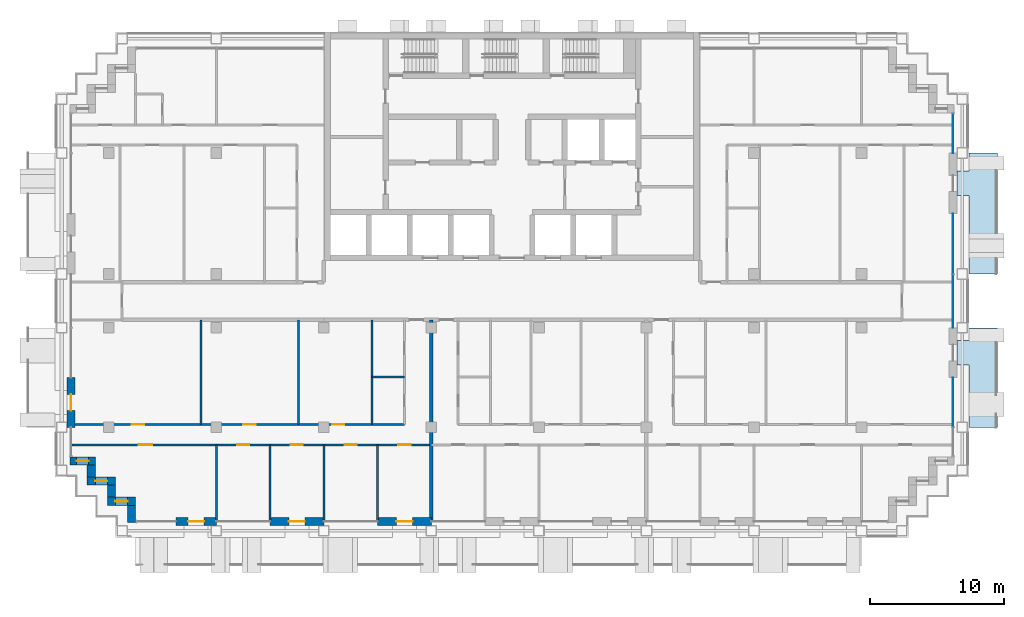
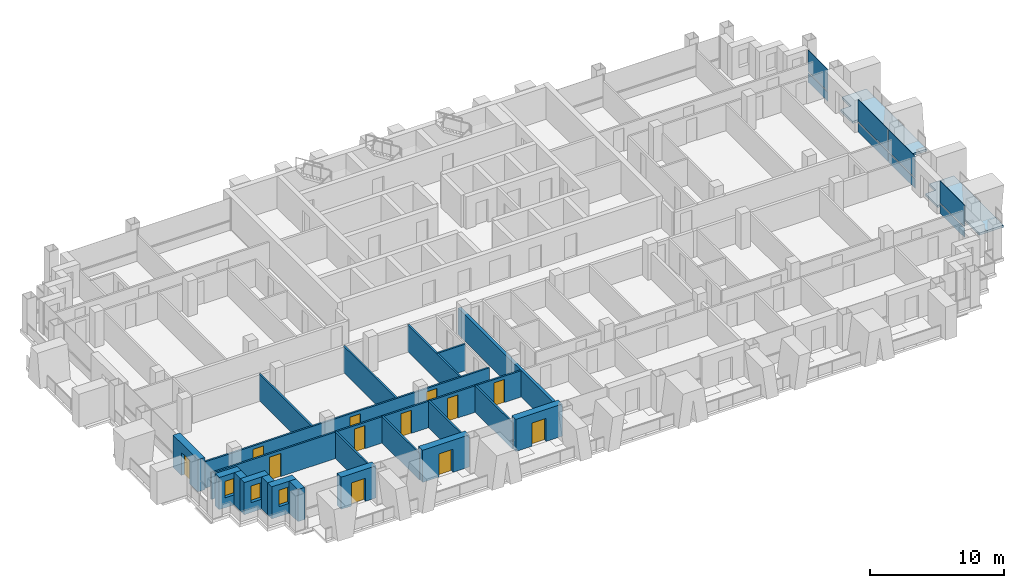
# One storey, part 7 of 16: 21 walls, 12 doors, 8 plates, 3 windows, 2 slabs, 15 openings, 3 elements without a shape of their own.
"""IFC4 building model written with IfcOpenShell, lengths in metres."""

from ifc_helpers import new_model, si_unit, direction, frame, frame_2d, origin, origin_2d, place, context, subcontext, project, spatial, polyline, rectangle, outline, extrude, material, layer, layer_set, type_object, element, fill, aggregate, save


model = new_model("IFC4")

# Units and contexts
model_context = context("Model", 3, precision=1e-05, world=origin(), true_north=direction((0.0, 1.0)))
body_context = subcontext(model_context, "Body", "Model", "MODEL_VIEW")
ifc_project = project(units=[si_unit("LENGTHUNIT", "METRE"), si_unit("AREAUNIT", "SQUARE_METRE"), si_unit("VOLUMEUNIT", "CUBIC_METRE"), si_unit("PLANEANGLEUNIT", "RADIAN"), si_unit("MASSUNIT", "GRAM", prefix="KILO")], contexts=[model_context])

# Site, building, storey
site_placement = place(None, origin())
site = spatial("IfcSite", under=ifc_project, at=site_placement, CompositionType="ELEMENT")
building_placement = place(site_placement, origin())
building = spatial("IfcBuilding", under=site, at=building_placement, Name="Vidyagriha Tower", CompositionType="ELEMENT")
storey_placement = place(building_placement, frame((0.0, 0.0, 129.39990234375)))
storey = spatial("IfcBuildingStorey", under=building, at=storey_placement, Name="L33", CompositionType="ELEMENT", Elevation=129.39990234375)

# Curtain wall, plate
ifc_material_1 = material(Name="Aluminium and glass curtain wall", Category="aluminium")
curtain_wall_type = type_object("IfcCurtainWallType", Name="Dwelling skin unitised curtain wall", PredefinedType="USERDEFINED", material=ifc_material_1)
curtain_wall_1_placement = place(storey_placement, origin())
curtain_wall_1 = element("IfcCurtainWall", 1, at=curtain_wall_1_placement, inside=storey, type_object=curtain_wall_type, Name="CW1 dwelling skin", ObjectType="UNITISED", PredefinedType="USERDEFINED")
ifc_material_2 = material(Name="Glass dark ceramic-fritted spandrel", Category="glass")
ifc_layer_1 = layer(ifc_material_2, 0.0400390625)
ifc_layer_set_1 = layer_set([ifc_layer_1], Name="Glass dark ceramic-fritted spandrel")
plate_type_1 = type_object("IfcPlateType", Name="Ceramic-fritted spandrel panel", PredefinedType="CURTAIN_PANEL", material=ifc_layer_set_1)
plate_1_placement = place(storey_placement, frame((32.800048828125, -7.532470703125, 0.0), z_axis=(0.0, 0.0, 1.0), x_axis=(0.0, 1.0, 0.0)))
plate_1 = element("IfcPlate", 2, at=plate_1_placement, type_object=plate_type_1, Name="CW1 panel 2.1", PredefinedType="CURTAIN_PANEL", context=body_context, shape_type="SweptSolid", body=[
    extrude(rectangle(XDim=3.6650390625, YDim=0.0400390625, at=origin_2d()), origin(), (0.0, 0.0, 1.0), 0.85009765625),
])

curtain_wall_2_placement = place(storey_placement, origin())
curtain_wall_2 = element("IfcCurtainWall", 3, at=curtain_wall_2_placement, inside=storey, type_object=curtain_wall_type, Name="CW1 dwelling skin", ObjectType="UNITISED", PredefinedType="USERDEFINED")
plate_2_placement = place(storey_placement, frame((32.800048828125, 12.465087890625, 0.0), z_axis=(0.0, 0.0, 1.0), x_axis=(0.0, 1.0, 0.0)))
plate_2 = element("IfcPlate", 4, at=plate_2_placement, type_object=plate_type_1, Name="CW1 panel 1.1", PredefinedType="CURTAIN_PANEL", context=body_context, shape_type="SweptSolid", body=[
    extrude(rectangle(XDim=2.929931640625, YDim=0.0400390625, at=origin_2d()), origin(), (0.0, 0.0, 1.0), 0.85009765625),
])

# Plate
ifc_material_3 = material(Name="Glass dark ceramic-fritted", Category="glass")
ifc_layer_2 = layer(ifc_material_3, 0.028076171875)
ifc_layer_set_2 = layer_set([ifc_layer_2], Name="Glass dark ceramic-fritted")
plate_type_2 = type_object("IfcPlateType", Name="Dark ceramic-fritted vision glass panel", PredefinedType="CURTAIN_PANEL", material=ifc_layer_set_2)
plate_3_placement = place(storey_placement, frame((32.800048828125, -7.532470703125, 0.9501953125), z_axis=(0.0, 0.0, 1.0), x_axis=(0.0, 1.0, 0.0)))
plate_3 = element("IfcPlate", 5, at=plate_3_placement, type_object=plate_type_2, Name="CW1 panel 2.2", PredefinedType="CURTAIN_PANEL", context=body_context, shape_type="SweptSolid", body=[
    extrude(rectangle(XDim=3.6650390625, YDim=0.028076171875, at=origin_2d()), origin(), (0.0, 0.0, 1.0), 1.969970703125),
])

aggregate(curtain_wall_1, [plate_1, plate_3])

# Curtain wall, plates
curtain_wall_3_placement = place(storey_placement, origin())
curtain_wall_3 = element("IfcCurtainWall", 6, at=curtain_wall_3_placement, inside=storey, type_object=curtain_wall_type, Name="CW1 dwelling skin", ObjectType="UNITISED", PredefinedType="USERDEFINED")
plate_4_placement = place(storey_placement, frame((32.800048828125, -0.017578125, 0.9501953125), z_axis=(0.0, 0.0, 1.0), x_axis=(0.0, 1.0, 0.0)))
plate_4 = element("IfcPlate", 7, at=plate_4_placement, type_object=plate_type_2, Name="CW1 panel 1.2", PredefinedType="CURTAIN_PANEL", context=body_context, shape_type="SweptSolid", body=[
    extrude(rectangle(XDim=3.965087890625, YDim=0.028076171875, at=origin_2d()), origin(), (0.0, 0.0, 1.0), 1.969970703125),
])
plate_5_placement = place(storey_placement, frame((32.800048828125, 4.267578125, 0.9501953125), z_axis=(0.0, 0.0, 1.0), x_axis=(0.0, 1.0, 0.0)))
plate_5 = element("IfcPlate", 8, at=plate_5_placement, type_object=plate_type_2, Name="CW1 panel 2.2", PredefinedType="CURTAIN_PANEL", context=body_context, shape_type="SweptSolid", body=[
    extrude(rectangle(XDim=4.465087890625, YDim=0.028076171875, at=origin_2d()), origin(), (0.0, 0.0, 1.0), 1.969970703125),
])

# Plate
plate_6_placement = place(storey_placement, frame((32.800048828125, 12.465087890625, 0.9501953125), z_axis=(0.0, 0.0, 1.0), x_axis=(0.0, 1.0, 0.0)))
plate_6 = element("IfcPlate", 9, at=plate_6_placement, type_object=plate_type_2, Name="CW1 panel 1.2", PredefinedType="CURTAIN_PANEL", context=body_context, shape_type="SweptSolid", body=[
    extrude(rectangle(XDim=2.929931640625, YDim=0.028076171875, at=origin_2d()), origin(), (0.0, 0.0, 1.0), 1.969970703125),
])

aggregate(curtain_wall_2, [plate_2, plate_6])

ifc_material_4 = material(Name="Aluminium black anodised", Category="aluminium")
ifc_layer_3 = layer(ifc_material_4, 0.06005859375)
ifc_layer_set_3 = layer_set([ifc_layer_3], Name="Aluminium black anodised")
plate_type_3 = type_object("IfcPlateType", Name="Operable black-metal vent panel", PredefinedType="CURTAIN_PANEL", material=ifc_layer_set_3)
plate_7_placement = place(storey_placement, frame((32.800048828125, -0.017578125, 0.0), z_axis=(0.0, 0.0, 1.0), x_axis=(0.0, 1.0, 0.0)))
plate_7 = element("IfcPlate", 10, at=plate_7_placement, type_object=plate_type_3, Name="CW1 panel 1.1", PredefinedType="CURTAIN_PANEL", context=body_context, shape_type="SweptSolid", body=[
    extrude(rectangle(XDim=3.965087890625, YDim=0.06005859375, at=origin_2d()), origin(), (0.0, 0.0, 1.0), 0.85009765625),
])

plate_8_placement = place(storey_placement, frame((32.800048828125, 4.267578125, 0.0), z_axis=(0.0, 0.0, 1.0), x_axis=(0.0, 1.0, 0.0)))
plate_8 = element("IfcPlate", 11, at=plate_8_placement, type_object=plate_type_3, Name="CW1 panel 2.1", PredefinedType="CURTAIN_PANEL", context=body_context, shape_type="SweptSolid", body=[
    extrude(rectangle(XDim=4.465087890625, YDim=0.06005859375, at=origin_2d()), origin(), (0.0, 0.0, 1.0), 0.85009765625),
])

aggregate(curtain_wall_3, [plate_7, plate_4, plate_8, plate_5])

# Slabs
ifc_material_5 = material(Name="Precast concrete C40/50", Category="concrete")
ifc_layer_4 = layer(ifc_material_5, 0.199951171875)
ifc_layer_set_4 = layer_set([ifc_layer_4], Name="Precast concrete C40/50")
slab_type = type_object("IfcSlabType", Name="Precast balcony slab 200", PredefinedType="USERDEFINED", material=ifc_layer_set_4)
slab_1_placement = place(storey_placement, frame((0.0, 0.0, -0.199951171875)))
element("IfcSlab", 12, at=slab_1_placement, inside=storey, type_object=slab_type, Name="Balcony slab L33 R30.1-1", ObjectType="BALCONY", PredefinedType="USERDEFINED", context=body_context, shape_type="SweptSolid", body=[
    extrude(outline(polyline([(34.0, -4.75), (34.0, -9.39990234375), (36.10009765625, -9.39990234375), (36.10009765625, -2.0), (34.0, -2.0), (34.0, -2.949951171875), (33.10009765625, -2.949951171875), (33.10009765625, -4.75), (34.0, -4.75)])), origin(), (0.0, 0.0, 1.0), 0.199951171875),
])
slab_2_placement = place(storey_placement, frame((0.0, 0.0, -0.199951171875)))
element("IfcSlab", 13, at=slab_2_placement, inside=storey, type_object=slab_type, Name="Balcony slab L33 R30.2-2", ObjectType="BALCONY", PredefinedType="USERDEFINED", context=body_context, shape_type="SweptSolid", body=[
    extrude(outline(polyline([(34.0, 7.85009765625), (34.0, 2.0), (36.10009765625, 2.0), (36.10009765625, 11.0), (34.0, 11.0), (34.0, 9.64990234375), (33.10009765625, 9.64990234375), (33.10009765625, 7.85009765625), (34.0, 7.85009765625)])), origin(), (0.0, 0.0, 1.0), 0.199951171875),
])

# Wall, opening, door
ifc_material_6 = material(Name="Precast concrete C40/50 with brick facing", Category="concrete")
ifc_layer_5 = layer(ifc_material_6, 0.60009765625)
ifc_layer_set_5 = layer_set([ifc_layer_5], Name="Precast concrete C40/50 with brick facing")
wall_type_1 = type_object("IfcWallType", Name="Brick-faced precast wall 600", PredefinedType="STANDARD", material=ifc_layer_set_5)
wall_1_placement = place(storey_placement, frame((-32.800048828125, -5.699951171875, 0.0), z_axis=(0.0, 0.0, 1.0), x_axis=(0.0, -1.0, 0.0)))
wall_1 = element("IfcWall", 14, at=wall_1_placement, inside=storey, type_object=wall_type_1, Name="Brick door bay wall L33 R16.6", PredefinedType="STANDARD", context=body_context, shape_type="SweptSolid", body=[
    extrude(rectangle(XDim=3.699951171875, YDim=0.60009765625, at=frame_2d((1.85009765625, 0.0))), origin(), (0.0, 0.0, 1.0), 2.920166015625),
])
opening_1_placement = place(wall_1_placement, frame((1.25, 0.0, 0.0)))
opening_1 = element("IfcOpeningElement", 15, at=opening_1_placement, cuts=wall_1, Name="Opening D33-66", PredefinedType="OPENING", context=body_context, shape_type="SweptSolid", body=[
    extrude(rectangle(XDim=1.199951171875, YDim=2.10009765625, at=frame_2d((0.60009765625, 1.050048828125))), frame((0.0, 0.31005859375, 0.0), z_axis=(0.0, -1.0, 0.0), x_axis=(1.0, 0.0, 0.0)), (0.0, 0.0, 1.0), 0.6201171875),
])
ifc_material_7 = material(Name="Aluminium framed glazed sliding door", Category="aluminium")
door_type_1 = type_object("IfcDoorType", Name="Balcony sliding door 1200x2100", OperationType="NOTDEFINED", PredefinedType="DOOR", material=ifc_material_7)
door_1_placement = place(opening_1_placement, origin())
door_1 = element("IfcDoor", 16, at=door_1_placement, inside=storey, type_object=door_type_1, Name="Door D33-66", OperationType="SLIDING_TO_LEFT", OverallHeight=2.10009765625, OverallWidth=1.199951171875, PredefinedType="DOOR", context=body_context, shape_type="SweptSolid", body=[
    extrude(rectangle(XDim=1.199951171875, YDim=2.10009765625, at=frame_2d((0.60009765625, 1.050048828125))), frame((0.0, 0.02490234375, 0.0), z_axis=(0.0, -1.0, 0.0), x_axis=(1.0, 0.0, 0.0)), (0.0, 0.0, 1.0), 0.050048828125),
])
fill(opening_1, door_1)

# Wall, opening, window
wall_2_placement = place(storey_placement, frame((-32.8798828125, -11.89990234375, 0.0)))
wall_2 = element("IfcWall", 17, at=wall_2_placement, inside=storey, type_object=wall_type_1, Name="Stepped corner wall L33 R17", PredefinedType="STANDARD", context=body_context, shape_type="SweptSolid", body=[
    extrude(rectangle(XDim=1.8798828125, YDim=0.60009765625, at=frame_2d((0.93994140625, 0.0))), origin(), (0.0, 0.0, 1.0), 2.920166015625),
])
opening_2_placement = place(wall_2_placement, frame((0.489990234375, 0.0, 0.89990234375)))
opening_2 = element("IfcOpeningElement", 18, at=opening_2_placement, cuts=wall_2, Name="Opening WN1", PredefinedType="OPENING", context=body_context, shape_type="SweptSolid", body=[
    extrude(rectangle(XDim=0.89990234375, YDim=1.5, at=frame_2d((0.449951171875, 0.75))), frame((0.0, 0.31005859375, 0.0), z_axis=(0.0, -1.0, 0.0), x_axis=(1.0, 0.0, 0.0)), (0.0, 0.0, 1.0), 0.6201171875),
])
ifc_material_8 = material(Name="Aluminium and glass window", Category="aluminium")
window_type = type_object("IfcWindowType", Name="Reveal window 900x1500", PartitioningType="NOTDEFINED", PredefinedType="WINDOW", material=ifc_material_8)
window_1_placement = place(opening_2_placement, origin())
window_1 = element("IfcWindow", 19, at=window_1_placement, inside=storey, type_object=window_type, Name="Reveal window L33 R17", OverallHeight=1.5, OverallWidth=0.89990234375, PartitioningType="SINGLE_PANEL", PredefinedType="WINDOW", context=body_context, shape_type="SweptSolid", body=[
    extrude(rectangle(XDim=0.89990234375, YDim=1.5, at=frame_2d((0.449951171875, 0.75))), frame((0.0, 0.030029296875, 0.0), z_axis=(0.0, -1.0, 0.0), x_axis=(1.0, 0.0, 0.0)), (0.0, 0.0, 1.0), 0.06005859375),
])
fill(opening_2, window_1)

# Wall
wall_3_placement = place(storey_placement, frame((-31.300048828125, -12.199951171875, 0.0), z_axis=(0.0, 0.0, 1.0), x_axis=(0.0, -1.0, 0.0)))
element("IfcWall", 20, at=wall_3_placement, inside=storey, type_object=wall_type_1, Name="Stepped corner wall L33 R18", PredefinedType="STANDARD", context=body_context, shape_type="SweptSolid", body=[
    extrude(rectangle(XDim=0.900146484375, YDim=0.60009765625, at=frame_2d((0.4501953125, 0.0))), origin(), (0.0, 0.0, 1.0), 2.920166015625),
])

# Wall, opening, window
wall_4_placement = place(storey_placement, frame((-31.60009765625, -13.39990234375, 0.0)))
wall_4 = element("IfcWall", 21, at=wall_4_placement, inside=storey, type_object=wall_type_1, Name="Stepped corner wall L33 R19", PredefinedType="STANDARD", context=body_context, shape_type="SweptSolid", body=[
    extrude(rectangle(XDim=2.10009765625, YDim=0.60009765625, at=frame_2d((1.050048828125, 0.0))), origin(), (0.0, 0.0, 1.0), 2.920166015625),
])
opening_3_placement = place(wall_4_placement, frame((0.60009765625, 0.0, 0.89990234375)))
opening_3 = element("IfcOpeningElement", 22, at=opening_3_placement, cuts=wall_4, Name="Opening WN1", PredefinedType="OPENING", context=body_context, shape_type="SweptSolid", body=[
    extrude(rectangle(XDim=0.89990234375, YDim=1.5, at=frame_2d((0.449951171875, 0.75))), frame((0.0, 0.31005859375, 0.0), z_axis=(0.0, -1.0, 0.0), x_axis=(1.0, 0.0, 0.0)), (0.0, 0.0, 1.0), 0.6201171875),
])
window_2_placement = place(opening_3_placement, origin())
window_2 = element("IfcWindow", 23, at=window_2_placement, inside=storey, type_object=window_type, Name="Reveal window L33 R19", OverallHeight=1.5, OverallWidth=0.89990234375, PartitioningType="SINGLE_PANEL", PredefinedType="WINDOW", context=body_context, shape_type="SweptSolid", body=[
    extrude(rectangle(XDim=0.89990234375, YDim=1.5, at=frame_2d((0.449951171875, 0.75))), frame((0.0, 0.030029296875, 0.0), z_axis=(0.0, -1.0, 0.0), x_axis=(1.0, 0.0, 0.0)), (0.0, 0.0, 1.0), 0.06005859375),
])
fill(opening_3, window_2)

# Wall
wall_5_placement = place(storey_placement, frame((-29.800048828125, -13.699951171875, 0.0), z_axis=(0.0, 0.0, 1.0), x_axis=(0.0, -1.0, 0.0)))
element("IfcWall", 24, at=wall_5_placement, inside=storey, type_object=wall_type_1, Name="Stepped corner wall L33 R20", PredefinedType="STANDARD", context=body_context, shape_type="SweptSolid", body=[
    extrude(rectangle(XDim=0.900146484375, YDim=0.60009765625, at=frame_2d((0.4501953125, 0.0))), origin(), (0.0, 0.0, 1.0), 2.920166015625),
])

# Wall, opening, window
wall_6_placement = place(storey_placement, frame((-30.10009765625, -14.89990234375, 0.0)))
wall_6 = element("IfcWall", 25, at=wall_6_placement, inside=storey, type_object=wall_type_1, Name="Stepped corner wall L33 R21", PredefinedType="STANDARD", context=body_context, shape_type="SweptSolid", body=[
    extrude(rectangle(XDim=2.10009765625, YDim=0.60009765625, at=frame_2d((1.050048828125, 0.0))), origin(), (0.0, 0.0, 1.0), 2.920166015625),
])
opening_4_placement = place(wall_6_placement, frame((0.60009765625, 0.0, 0.89990234375)))
opening_4 = element("IfcOpeningElement", 26, at=opening_4_placement, cuts=wall_6, Name="Opening WN1", PredefinedType="OPENING", context=body_context, shape_type="SweptSolid", body=[
    extrude(rectangle(XDim=0.89990234375, YDim=1.5, at=frame_2d((0.449951171875, 0.75))), frame((0.0, 0.31005859375, 0.0), z_axis=(0.0, -1.0, 0.0), x_axis=(1.0, 0.0, 0.0)), (0.0, 0.0, 1.0), 0.6201171875),
])
window_3_placement = place(opening_4_placement, origin())
window_3 = element("IfcWindow", 27, at=window_3_placement, inside=storey, type_object=window_type, Name="Reveal window L33 R21", OverallHeight=1.5, OverallWidth=0.89990234375, PartitioningType="SINGLE_PANEL", PredefinedType="WINDOW", context=body_context, shape_type="SweptSolid", body=[
    extrude(rectangle(XDim=0.89990234375, YDim=1.5, at=frame_2d((0.449951171875, 0.75))), frame((0.0, 0.030029296875, 0.0), z_axis=(0.0, -1.0, 0.0), x_axis=(1.0, 0.0, 0.0)), (0.0, 0.0, 1.0), 0.06005859375),
])
fill(opening_4, window_3)

# Wall
wall_7_placement = place(storey_placement, frame((-28.300048828125, -15.199951171875, 0.0), z_axis=(0.0, 0.0, 1.0), x_axis=(0.0, -1.0, 0.0)))
element("IfcWall", 28, at=wall_7_placement, inside=storey, type_object=wall_type_1, Name="Stepped corner wall L33 R22", PredefinedType="STANDARD", context=body_context, shape_type="SweptSolid", body=[
    extrude(rectangle(XDim=1.280029296875, YDim=0.60009765625, at=frame_2d((0.64013671875, 0.0))), origin(), (0.0, 0.0, 1.0), 2.920166015625),
])

# Wall, opening, door
wall_8_placement = place(storey_placement, frame((-25.0, -16.39990234375, 0.0)))
wall_8 = element("IfcWall", 29, at=wall_8_placement, inside=storey, type_object=wall_type_1, Name="Brick door bay wall L33 R23.2", PredefinedType="STANDARD", context=body_context, shape_type="SweptSolid", body=[
    extrude(rectangle(XDim=3.0, YDim=0.60009765625, at=frame_2d((1.5, 0.0))), origin(), (0.0, 0.0, 1.0), 2.920166015625),
])
opening_5_placement = place(wall_8_placement, frame((0.89990234375, 0.0, 0.0)))
opening_5 = element("IfcOpeningElement", 30, at=opening_5_placement, cuts=wall_8, Name="Opening D33-67", PredefinedType="OPENING", context=body_context, shape_type="SweptSolid", body=[
    extrude(rectangle(XDim=1.199951171875, YDim=2.10009765625, at=frame_2d((0.60009765625, 1.050048828125))), frame((0.0, 0.31005859375, 0.0), z_axis=(0.0, -1.0, 0.0), x_axis=(1.0, 0.0, 0.0)), (0.0, 0.0, 1.0), 0.6201171875),
])
door_2_placement = place(opening_5_placement, origin())
door_2 = element("IfcDoor", 31, at=door_2_placement, inside=storey, type_object=door_type_1, Name="Door D33-67", OperationType="SLIDING_TO_LEFT", OverallHeight=2.10009765625, OverallWidth=1.199951171875, PredefinedType="DOOR", context=body_context, shape_type="SweptSolid", body=[
    extrude(rectangle(XDim=1.199951171875, YDim=2.10009765625, at=frame_2d((0.60009765625, 1.050048828125))), frame((0.0, 0.02490234375, 0.0), z_axis=(0.0, -1.0, 0.0), x_axis=(1.0, 0.0, 0.0)), (0.0, 0.0, 1.0), 0.050048828125),
])
fill(opening_5, door_2)

wall_9_placement = place(storey_placement, frame((-18.0, -16.39990234375, 0.0)))
wall_9 = element("IfcWall", 32, at=wall_9_placement, inside=storey, type_object=wall_type_1, Name="Brick door bay wall L33 R23.4", PredefinedType="STANDARD", context=body_context, shape_type="SweptSolid", body=[
    extrude(rectangle(XDim=4.0, YDim=0.60009765625, at=frame_2d((2.0, 0.0))), origin(), (0.0, 0.0, 1.0), 2.920166015625),
])
opening_6_placement = place(wall_9_placement, frame((1.39990234375, 0.0, 0.0)))
opening_6 = element("IfcOpeningElement", 33, at=opening_6_placement, cuts=wall_9, Name="Opening D33-68", PredefinedType="OPENING", context=body_context, shape_type="SweptSolid", body=[
    extrude(rectangle(XDim=1.199951171875, YDim=2.10009765625, at=frame_2d((0.60009765625, 1.050048828125))), frame((0.0, 0.31005859375, 0.0), z_axis=(0.0, -1.0, 0.0), x_axis=(1.0, 0.0, 0.0)), (0.0, 0.0, 1.0), 0.6201171875),
])
door_3_placement = place(opening_6_placement, origin())
door_3 = element("IfcDoor", 34, at=door_3_placement, inside=storey, type_object=door_type_1, Name="Door D33-68", OperationType="SLIDING_TO_LEFT", OverallHeight=2.10009765625, OverallWidth=1.199951171875, PredefinedType="DOOR", context=body_context, shape_type="SweptSolid", body=[
    extrude(rectangle(XDim=1.199951171875, YDim=2.10009765625, at=frame_2d((0.60009765625, 1.050048828125))), frame((0.0, 0.02490234375, 0.0), z_axis=(0.0, -1.0, 0.0), x_axis=(1.0, 0.0, 0.0)), (0.0, 0.0, 1.0), 0.050048828125),
])
fill(opening_6, door_3)

wall_10_placement = place(storey_placement, frame((-10.0, -16.39990234375, 0.0)))
wall_10 = element("IfcWall", 35, at=wall_10_placement, inside=storey, type_object=wall_type_1, Name="Brick door bay wall L33 R23.6", PredefinedType="STANDARD", context=body_context, shape_type="SweptSolid", body=[
    extrude(rectangle(XDim=4.0, YDim=0.60009765625, at=frame_2d((2.0, 0.0))), origin(), (0.0, 0.0, 1.0), 2.920166015625),
])
opening_7_placement = place(wall_10_placement, frame((1.39990234375, 0.0, 0.0)))
opening_7 = element("IfcOpeningElement", 36, at=opening_7_placement, cuts=wall_10, Name="Opening D33-69", PredefinedType="OPENING", context=body_context, shape_type="SweptSolid", body=[
    extrude(rectangle(XDim=1.199951171875, YDim=2.10009765625, at=frame_2d((0.60009765625, 1.050048828125))), frame((0.0, 0.31005859375, 0.0), z_axis=(0.0, -1.0, 0.0), x_axis=(1.0, 0.0, 0.0)), (0.0, 0.0, 1.0), 0.6201171875),
])
door_4_placement = place(opening_7_placement, origin())
door_4 = element("IfcDoor", 37, at=door_4_placement, inside=storey, type_object=door_type_1, Name="Door D33-69", OperationType="SLIDING_TO_LEFT", OverallHeight=2.10009765625, OverallWidth=1.199951171875, PredefinedType="DOOR", context=body_context, shape_type="SweptSolid", body=[
    extrude(rectangle(XDim=1.199951171875, YDim=2.10009765625, at=frame_2d((0.60009765625, 1.050048828125))), frame((0.0, 0.02490234375, 0.0), z_axis=(0.0, -1.0, 0.0), x_axis=(1.0, 0.0, 0.0)), (0.0, 0.0, 1.0), 0.050048828125),
])
fill(opening_7, door_4)

# Walls
ifc_material_9 = material(Name="Fired clay brick masonry", Category="masonry")
ifc_layer_6 = layer(ifc_material_9, 0.25)
ifc_layer_set_6 = layer_set([ifc_layer_6], Name="Fired clay brick masonry")
wall_type_2 = type_object("IfcWallType", Name="Fired clay brick demising wall 250", PredefinedType="PARTITIONING", material=ifc_layer_set_6)
wall_11_placement = place(storey_placement, frame((-6.0, -1.39990234375, 0.0), z_axis=(0.0, 0.0, 1.0), x_axis=(0.0, -1.0, 0.0)))
element("IfcWall", 38, at=wall_11_placement, inside=storey, type_object=wall_type_2, Name="Wall all-L33-w041", PredefinedType="PARTITIONING", context=body_context, shape_type="SweptSolid", body=[
    extrude(rectangle(XDim=14.91015625, YDim=0.25, at=frame_2d((7.455078125, 0.0))), origin(), (0.0, 0.0, 1.0), 2.400146484375),
])
ifc_material_10 = material(Name="Gypsum board partition")
ifc_layer_7 = layer(ifc_material_10, 0.14990234375)
ifc_layer_set_7 = layer_set([ifc_layer_7], Name="Gypsum board partition")
wall_type_3 = type_object("IfcWallType", Name="Gypsum board partition 150", PredefinedType="PARTITIONING", material=ifc_layer_set_7)
wall_12_placement = place(storey_placement, frame((-8.0, -5.64990234375, 0.0), z_axis=(0.0, 0.0, 1.0), x_axis=(-1.0, 0.0, 0.0)))
element("IfcWall", 39, at=wall_12_placement, inside=storey, type_object=wall_type_3, Name="Wall all-L33-w004", PredefinedType="PARTITIONING", context=body_context, shape_type="SweptSolid", body=[
    extrude(rectangle(XDim=2.39990234375, YDim=0.14990234375, at=frame_2d((1.199951171875, 0.0))), origin(), (0.0, 0.0, 1.0), 2.400146484375),
])
for number, where, z_axis, x_axis, name in (
    (40, (-10.39990234375, -9.199951171875, 0.0), (0.0, 0.0, 1.0), (0.0, 1.0, 0.0), "Wall all-L33-w005"),
    (41, (-15.89990234375, -9.199951171875, 0.0), (0.0, 0.0, 1.0), (0.0, 1.0, 0.0), "Wall all-L33-w006"),
    (42, (-23.14990234375, -9.199951171875, 0.0), (0.0, 0.0, 1.0), (0.0, 1.0, 0.0), "Wall all-L33-w007"),
):
    element("IfcWall", number, at=place(storey_placement, frame(where, z_axis=z_axis, x_axis=x_axis)), inside=storey, type_object=wall_type_3, Name=name, PredefinedType="PARTITIONING", context=body_context, shape_type="SweptSolid", body=[
        extrude(rectangle(XDim=7.800048828125, YDim=0.14990234375, at=frame_2d((3.89990234375, 0.0))), origin(), (0.0, 0.0, 1.0), 2.400146484375),
    ])

# Wall, openings, doors
wall_13_placement = place(storey_placement, frame((-32.7099609375, -9.199951171875, 0.0)))
wall_13 = element("IfcWall", 43, at=wall_13_placement, inside=storey, type_object=wall_type_3, Name="Wall all-L33-w008", PredefinedType="PARTITIONING", context=body_context, shape_type="SweptSolid", body=[
    extrude(rectangle(XDim=24.7099609375, YDim=0.14990234375, at=frame_2d((12.35498046875, 0.0))), origin(), (0.0, 0.0, 1.0), 2.400146484375),
])
opening_8_placement = place(wall_13_placement, frame((19.327880859375, 0.0, 0.0)))
opening_8 = element("IfcOpeningElement", 44, at=opening_8_placement, cuts=wall_13, Name="Opening D33-16", PredefinedType="OPENING", context=body_context, shape_type="SweptSolid", body=[
    extrude(rectangle(XDim=0.89990234375, YDim=2.10009765625, at=frame_2d((0.449951171875, 1.050048828125))), frame((0.0, 0.0849609375, 0.0), z_axis=(0.0, -1.0, 0.0), x_axis=(1.0, 0.0, 0.0)), (0.0, 0.0, 1.0), 0.169921875),
])
opening_9_placement = place(wall_13_placement, frame((12.735107421875, 0.0, 0.0)))
opening_9 = element("IfcOpeningElement", 45, at=opening_9_placement, cuts=wall_13, Name="Opening D33-17", PredefinedType="OPENING", context=body_context, shape_type="SweptSolid", body=[
    extrude(rectangle(XDim=0.89990234375, YDim=2.10009765625, at=frame_2d((0.449951171875, 1.050048828125))), frame((0.0, 0.0849609375, 0.0), z_axis=(0.0, -1.0, 0.0), x_axis=(1.0, 0.0, 0.0)), (0.0, 0.0, 1.0), 0.169921875),
])
opening_10_placement = place(wall_13_placement, frame((4.43505859375, 0.0, 0.0)))
opening_10 = element("IfcOpeningElement", 46, at=opening_10_placement, cuts=wall_13, Name="Opening D33-18", PredefinedType="OPENING", context=body_context, shape_type="SweptSolid", body=[
    extrude(rectangle(XDim=0.89990234375, YDim=2.10009765625, at=frame_2d((0.449951171875, 1.050048828125))), frame((0.0, 0.0849609375, 0.0), z_axis=(0.0, -1.0, 0.0), x_axis=(1.0, 0.0, 0.0)), (0.0, 0.0, 1.0), 0.169921875),
])
ifc_material_11 = material(Name="Timber door leaf", Category="wood")
door_type_2 = type_object("IfcDoorType", Name="Room door 900x2100", OperationType="NOTDEFINED", PredefinedType="DOOR", material=ifc_material_11)
door_5_placement = place(opening_8_placement, origin())
door_5 = element("IfcDoor", 47, at=door_5_placement, inside=storey, type_object=door_type_2, Name="Door D33-16", OperationType="SINGLE_SWING_RIGHT", OverallHeight=2.10009765625, OverallWidth=0.89990234375, PredefinedType="DOOR", context=body_context, shape_type="SweptSolid", body=[
    extrude(rectangle(XDim=0.89990234375, YDim=2.10009765625, at=frame_2d((0.449951171875, 1.050048828125))), frame((0.0, 0.02490234375, 0.0), z_axis=(0.0, -1.0, 0.0), x_axis=(1.0, 0.0, 0.0)), (0.0, 0.0, 1.0), 0.050048828125),
])
fill(opening_8, door_5)
door_6_placement = place(opening_9_placement, origin())
door_6 = element("IfcDoor", 48, at=door_6_placement, inside=storey, type_object=door_type_2, Name="Door D33-17", OperationType="SINGLE_SWING_RIGHT", OverallHeight=2.10009765625, OverallWidth=0.89990234375, PredefinedType="DOOR", context=body_context, shape_type="SweptSolid", body=[
    extrude(rectangle(XDim=0.89990234375, YDim=2.10009765625, at=frame_2d((0.449951171875, 1.050048828125))), frame((0.0, 0.02490234375, 0.0), z_axis=(0.0, -1.0, 0.0), x_axis=(1.0, 0.0, 0.0)), (0.0, 0.0, 1.0), 0.050048828125),
])
fill(opening_9, door_6)
door_7_placement = place(opening_10_placement, origin())
door_7 = element("IfcDoor", 49, at=door_7_placement, inside=storey, type_object=door_type_2, Name="Door D33-18", OperationType="SINGLE_SWING_RIGHT", OverallHeight=2.10009765625, OverallWidth=0.89990234375, PredefinedType="DOOR", context=body_context, shape_type="SweptSolid", body=[
    extrude(rectangle(XDim=0.89990234375, YDim=2.10009765625, at=frame_2d((0.449951171875, 1.050048828125))), frame((0.0, 0.02490234375, 0.0), z_axis=(0.0, -1.0, 0.0), x_axis=(1.0, 0.0, 0.0)), (0.0, 0.0, 1.0), 0.050048828125),
])
fill(opening_10, door_7)

wall_14_placement = place(storey_placement, frame((-6.0, -10.699951171875, 0.0), z_axis=(0.0, 0.0, 1.0), x_axis=(-1.0, 0.0, 0.0)))
wall_14 = element("IfcWall", 50, at=wall_14_placement, inside=storey, type_object=wall_type_3, Name="Wall all-L33-w012", PredefinedType="PARTITIONING", context=body_context, shape_type="SweptSolid", body=[
    extrude(rectangle(XDim=26.719970703125, YDim=0.14990234375, at=frame_2d((13.35986328125, 0.0))), origin(), (0.0, 0.0, 1.0), 2.400146484375),
])
opening_11_placement = place(wall_14_placement, frame((20.75, 0.0, 0.0)))
opening_11 = element("IfcOpeningElement", 51, at=opening_11_placement, cuts=wall_14, Name="Opening D33-19", PredefinedType="OPENING", context=body_context, shape_type="SweptSolid", body=[
    extrude(rectangle(XDim=1.0, YDim=2.10009765625, at=frame_2d((0.5, 1.050048828125))), frame((0.0, 0.0849609375, 0.0), z_axis=(0.0, -1.0, 0.0), x_axis=(1.0, 0.0, 0.0)), (0.0, 0.0, 1.0), 0.169921875),
])
opening_12_placement = place(wall_14_placement, frame((13.550048828125, 0.0, 0.0)))
opening_12 = element("IfcOpeningElement", 52, at=opening_12_placement, cuts=wall_14, Name="Opening D33-20", PredefinedType="OPENING", context=body_context, shape_type="SweptSolid", body=[
    extrude(rectangle(XDim=0.89990234375, YDim=2.10009765625, at=frame_2d((0.449951171875, 1.050048828125))), frame((0.0, 0.0849609375, 0.0), z_axis=(0.0, -1.0, 0.0), x_axis=(1.0, 0.0, 0.0)), (0.0, 0.0, 1.0), 0.169921875),
])
opening_13_placement = place(wall_14_placement, frame((9.550048828125, 0.0, 0.0)))
opening_13 = element("IfcOpeningElement", 53, at=opening_13_placement, cuts=wall_14, Name="Opening D33-21", PredefinedType="OPENING", context=body_context, shape_type="SweptSolid", body=[
    extrude(rectangle(XDim=0.89990234375, YDim=2.10009765625, at=frame_2d((0.449951171875, 1.050048828125))), frame((0.0, 0.0849609375, 0.0), z_axis=(0.0, -1.0, 0.0), x_axis=(1.0, 0.0, 0.0)), (0.0, 0.0, 1.0), 0.169921875),
])
opening_14_placement = place(wall_14_placement, frame((5.550048828125, 0.0, 0.0)))
opening_14 = element("IfcOpeningElement", 54, at=opening_14_placement, cuts=wall_14, Name="Opening D33-22", PredefinedType="OPENING", context=body_context, shape_type="SweptSolid", body=[
    extrude(rectangle(XDim=0.89990234375, YDim=2.10009765625, at=frame_2d((0.449951171875, 1.050048828125))), frame((0.0, 0.0849609375, 0.0), z_axis=(0.0, -1.0, 0.0), x_axis=(1.0, 0.0, 0.0)), (0.0, 0.0, 1.0), 0.169921875),
])
opening_15_placement = place(wall_14_placement, frame((1.550048828125, 0.0, 0.0)))
opening_15 = element("IfcOpeningElement", 55, at=opening_15_placement, cuts=wall_14, Name="Opening D33-23", PredefinedType="OPENING", context=body_context, shape_type="SweptSolid", body=[
    extrude(rectangle(XDim=0.89990234375, YDim=2.10009765625, at=frame_2d((0.449951171875, 1.050048828125))), frame((0.0, 0.0849609375, 0.0), z_axis=(0.0, -1.0, 0.0), x_axis=(1.0, 0.0, 0.0)), (0.0, 0.0, 1.0), 0.169921875),
])
ifc_material_12 = material(Name="Timber door leaf", Category="wood")
door_type_3 = type_object("IfcDoorType", Name="Room door 1000x2100", OperationType="NOTDEFINED", PredefinedType="DOOR", material=ifc_material_12)
door_8_placement = place(opening_11_placement, origin())
door_8 = element("IfcDoor", 56, at=door_8_placement, inside=storey, type_object=door_type_3, Name="Door D33-19", OperationType="SINGLE_SWING_RIGHT", OverallHeight=2.10009765625, OverallWidth=1.0, PredefinedType="DOOR", context=body_context, shape_type="SweptSolid", body=[
    extrude(rectangle(XDim=1.0, YDim=2.10009765625, at=frame_2d((0.5, 1.050048828125))), frame((0.0, 0.02490234375, 0.0), z_axis=(0.0, -1.0, 0.0), x_axis=(1.0, 0.0, 0.0)), (0.0, 0.0, 1.0), 0.050048828125),
])
fill(opening_11, door_8)
door_9_placement = place(opening_12_placement, origin())
door_9 = element("IfcDoor", 57, at=door_9_placement, inside=storey, type_object=door_type_2, Name="Door D33-20", OperationType="SINGLE_SWING_RIGHT", OverallHeight=2.10009765625, OverallWidth=0.89990234375, PredefinedType="DOOR", context=body_context, shape_type="SweptSolid", body=[
    extrude(rectangle(XDim=0.89990234375, YDim=2.10009765625, at=frame_2d((0.449951171875, 1.050048828125))), frame((0.0, 0.02490234375, 0.0), z_axis=(0.0, -1.0, 0.0), x_axis=(1.0, 0.0, 0.0)), (0.0, 0.0, 1.0), 0.050048828125),
])
fill(opening_12, door_9)
door_10_placement = place(opening_13_placement, origin())
door_10 = element("IfcDoor", 58, at=door_10_placement, inside=storey, type_object=door_type_2, Name="Door D33-21", OperationType="SINGLE_SWING_RIGHT", OverallHeight=2.10009765625, OverallWidth=0.89990234375, PredefinedType="DOOR", context=body_context, shape_type="SweptSolid", body=[
    extrude(rectangle(XDim=0.89990234375, YDim=2.10009765625, at=frame_2d((0.449951171875, 1.050048828125))), frame((0.0, 0.02490234375, 0.0), z_axis=(0.0, -1.0, 0.0), x_axis=(1.0, 0.0, 0.0)), (0.0, 0.0, 1.0), 0.050048828125),
])
fill(opening_13, door_10)
door_11_placement = place(opening_14_placement, origin())
door_11 = element("IfcDoor", 59, at=door_11_placement, inside=storey, type_object=door_type_2, Name="Door D33-22", OperationType="SINGLE_SWING_RIGHT", OverallHeight=2.10009765625, OverallWidth=0.89990234375, PredefinedType="DOOR", context=body_context, shape_type="SweptSolid", body=[
    extrude(rectangle(XDim=0.89990234375, YDim=2.10009765625, at=frame_2d((0.449951171875, 1.050048828125))), frame((0.0, 0.02490234375, 0.0), z_axis=(0.0, -1.0, 0.0), x_axis=(1.0, 0.0, 0.0)), (0.0, 0.0, 1.0), 0.050048828125),
])
fill(opening_14, door_11)
door_12_placement = place(opening_15_placement, origin())
door_12 = element("IfcDoor", 60, at=door_12_placement, inside=storey, type_object=door_type_2, Name="Door D33-23", OperationType="SINGLE_SWING_RIGHT", OverallHeight=2.10009765625, OverallWidth=0.89990234375, PredefinedType="DOOR", context=body_context, shape_type="SweptSolid", body=[
    extrude(rectangle(XDim=0.89990234375, YDim=2.10009765625, at=frame_2d((0.449951171875, 1.050048828125))), frame((0.0, 0.02490234375, 0.0), z_axis=(0.0, -1.0, 0.0), x_axis=(1.0, 0.0, 0.0)), (0.0, 0.0, 1.0), 0.050048828125),
])
fill(opening_15, door_12)

# Walls
wall_15_placement = place(storey_placement, frame((-22.0, -10.699951171875, 0.0), z_axis=(0.0, 0.0, 1.0), x_axis=(0.0, -1.0, 0.0)))
element("IfcWall", 61, at=wall_15_placement, inside=storey, type_object=wall_type_3, Name="Wall all-L33-w018", PredefinedType="PARTITIONING", context=body_context, shape_type="SweptSolid", body=[
    extrude(rectangle(XDim=5.610107421875, YDim=0.14990234375, at=frame_2d((2.80517578125, 0.0))), origin(), (0.0, 0.0, 1.0), 2.400146484375),
])
wall_16_placement = place(storey_placement, frame((-18.0, -10.699951171875, 0.0), z_axis=(0.0, 0.0, 1.0), x_axis=(0.0, -1.0, 0.0)))
element("IfcWall", 62, at=wall_16_placement, inside=storey, type_object=wall_type_3, Name="Wall all-L33-w019", PredefinedType="PARTITIONING", context=body_context, shape_type="SweptSolid", body=[
    extrude(rectangle(XDim=5.62109375, YDim=0.14990234375, at=frame_2d((2.810546875, 0.0))), origin(), (0.0, 0.0, 1.0), 2.400146484375),
])
wall_17_placement = place(storey_placement, frame((-14.0, -10.699951171875, 0.0), z_axis=(0.0, 0.0, 1.0), x_axis=(0.0, -1.0, 0.0)))
element("IfcWall", 63, at=wall_17_placement, inside=storey, type_object=wall_type_3, Name="Wall all-L33-w020", PredefinedType="PARTITIONING", context=body_context, shape_type="SweptSolid", body=[
    extrude(rectangle(XDim=5.610107421875, YDim=0.14990234375, at=frame_2d((2.80517578125, 0.0))), origin(), (0.0, 0.0, 1.0), 2.400146484375),
])
wall_18_placement = place(storey_placement, frame((-10.0, -10.699951171875, 0.0), z_axis=(0.0, 0.0, 1.0), x_axis=(0.0, -1.0, 0.0)))
element("IfcWall", 64, at=wall_18_placement, inside=storey, type_object=wall_type_3, Name="Wall all-L33-w021", PredefinedType="PARTITIONING", context=body_context, shape_type="SweptSolid", body=[
    extrude(rectangle(XDim=5.62109375, YDim=0.14990234375, at=frame_2d((2.810546875, 0.0))), origin(), (0.0, 0.0, 1.0), 2.400146484375),
])

save(model, "model.ifc")
